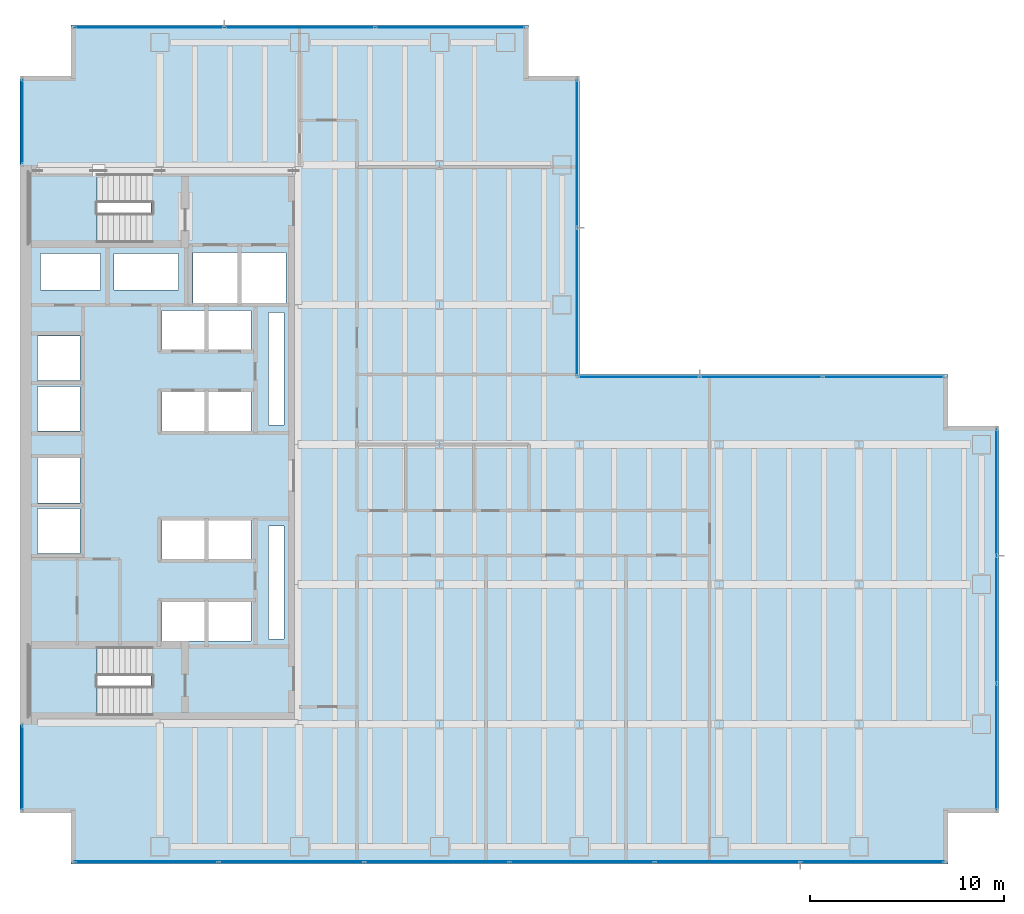
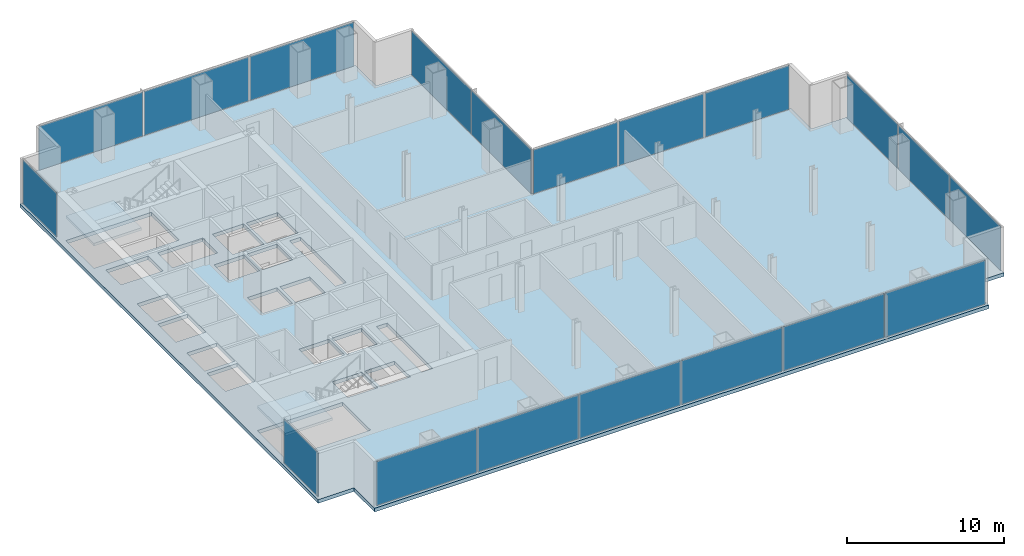
# One storey, part 19 of 25: 19 plates, 3 slabs, 20 openings, 9 elements without a shape of their own.
"""IFC4 building model written with IfcOpenShell, lengths in metres."""

import ifcopenshell
import ifcopenshell.guid

model = None  # the IFC model being written
_history = None  # IfcOwnerHistory: only IFC2X3 demands one
_inside = {}  # id of a spatial element -> (the spatial element, [elements in it])
_under = {}  # id of a project, library or spatial element -> (it, [spatial elements below it])
_declared = {}  # id of a project -> (the project, [libraries it declares])
_typed = {}  # id of a type object -> (the type object, [elements of that type])
_made_of = {}  # id of a material, layer set ... -> (it, [elements and type objects made of it])


def new_model(schema):
    """Start an empty IFC model of exactly this schema.

    Asked for "IFC4X3", IfcOpenShell would pick the latest addendum, in which some entities
    have other attributes; the version numbers below select the first issue.
    IFC2X3 requires an IfcOwnerHistory on every rooted entity: one is made here for all.
    """
    global model, _history
    if schema == "IFC4X3":
        model = ifcopenshell.file(schema_version=(4, 3, 0, 0))
    else:
        model = ifcopenshell.file(schema=schema)
    _inside.clear()
    _under.clear()
    _declared.clear()
    _typed.clear()
    _made_of.clear()
    _history = None
    if model.schema == "IFC2X3":
        org = make("IfcOrganization", Name="unknown")
        user = make(
            "IfcPersonAndOrganization",
            ThePerson=make("IfcPerson", FamilyName="unknown"),
            TheOrganization=org,
        )
        app = make(
            "IfcApplication",
            ApplicationDeveloper=org,
            Version="unknown",
            ApplicationFullName="unknown",
            ApplicationIdentifier="unknown",
        )
        _history = make(
            "IfcOwnerHistory",
            OwningUser=user,
            OwningApplication=app,
            ChangeAction="ADDED",
            CreationDate=0,
        )
    return model


def make(cls, **values):
    """One entity of the class cls with the attributes given. An attribute that is None is left unset."""
    return model.create_entity(
        cls, **{name: value for name, value in values.items() if value is not None}
    )


def rooted(cls, **values):
    """An entity with a GlobalId (a new one), such as an element, a storey or a relation."""
    return make(cls, GlobalId=ifcopenshell.guid.new(), OwnerHistory=_history, **values)


def si_unit(unit_type, name, prefix=None):
    """IfcSIUnit, for example si_unit("LENGTHUNIT", "METRE", prefix="MILLI")."""
    return make("IfcSIUnit", UnitType=unit_type, Prefix=prefix, Name=name)


def assignment(units):
    """IfcUnitAssignment: the units of a project."""
    return None if units is None else make("IfcUnitAssignment", Units=units)


def point(xyz):
    """IfcCartesianPoint."""
    return None if xyz is None else make("IfcCartesianPoint", Coordinates=xyz)


def direction(xyz):
    """IfcDirection."""
    return None if xyz is None else make("IfcDirection", DirectionRatios=xyz)


def frame(location, z_axis=None, x_axis=None):
    """IfcAxis2Placement3D, a coordinate frame: its origin and axes. An axis left out is left unset."""
    return make(
        "IfcAxis2Placement3D",
        Location=point(location),
        Axis=direction(z_axis),
        RefDirection=direction(x_axis),
    )


def frame_2d(location, x_axis=None):
    """IfcAxis2Placement2D, a coordinate frame in the plane: its origin and x axis."""
    return make(
        "IfcAxis2Placement2D", Location=point(location), RefDirection=direction(x_axis)
    )


def origin():
    """The frame at (0, 0, 0) with its axes left unset."""
    return frame((0.0, 0.0, 0.0))


def origin_2d():
    """The frame at (0, 0) in the plane with its x axis left unset."""
    return frame_2d((0.0, 0.0))


def place(relative_to, where):
    """IfcLocalPlacement: puts the frame where relative to a parent placement (None: the world)."""
    return make(
        "IfcLocalPlacement", PlacementRelTo=relative_to, RelativePlacement=where
    )


def context(
    kind, dimensions, precision=None, world=None, true_north=None, identifier=None
):
    """IfcGeometricRepresentationContext, for example the 3D "Model" context."""
    return make(
        "IfcGeometricRepresentationContext",
        ContextIdentifier=identifier,
        ContextType=kind,
        CoordinateSpaceDimension=dimensions,
        Precision=precision,
        WorldCoordinateSystem=world,
        TrueNorth=true_north,
    )


def subcontext(parent, identifier, kind, view, scale=None):
    """IfcGeometricRepresentationSubContext, for example "Body" below "Model"."""
    return make(
        "IfcGeometricRepresentationSubContext",
        ContextIdentifier=identifier,
        ContextType=kind,
        ParentContext=parent,
        TargetScale=scale,
        TargetView=view,
    )


def project(units=None, contexts=None):
    """IfcProject with its units and contexts."""
    return rooted(
        "IfcProject",
        Name="project",
        RepresentationContexts=contexts,
        UnitsInContext=assignment(units),
    )


def spatial(cls, under=None, at=None, **own):
    """A site, building, storey or space (cls), placed at a placement, below another one or the project."""
    s = rooted(cls, ObjectPlacement=at, **own)
    if under is not None:
        _under.setdefault(under.id(), (under, []))[1].append(s)
    return s


def polyline(points):
    """IfcPolyline through the points."""
    return make("IfcPolyline", Points=[point(p) for p in points])


def profile(cls, at=None, kind="AREA", **sizes):
    """A parametric profile (cls). Its sizes go by their IFC names, for example OverallWidth=200.0."""
    return make(cls, ProfileType=kind, Position=at, **sizes)


def rectangle(**sizes):
    """IfcRectangleProfileDef."""
    return profile("IfcRectangleProfileDef", **sizes)


def outline(outer, holes=None, kind="AREA"):
    """IfcArbitraryClosedProfileDef: a profile drawn as a closed curve; with holes, ...WithVoids."""
    if holes is None:
        return make("IfcArbitraryClosedProfileDef", ProfileType=kind, OuterCurve=outer)
    return make(
        "IfcArbitraryProfileDefWithVoids",
        ProfileType=kind,
        OuterCurve=outer,
        InnerCurves=holes,
    )


def extrude(swept, where, along, depth):
    """IfcExtrudedAreaSolid: the profile swept, set in the frame where, extruded along a direction by depth."""
    return make(
        "IfcExtrudedAreaSolid",
        SweptArea=swept,
        Position=where,
        ExtrudedDirection=direction(along),
        Depth=depth,
    )


def shape(context_of_items, identifier, shape_type, items):
    """IfcShapeRepresentation: the items that make up one representation, for example the "Body"."""
    return make(
        "IfcShapeRepresentation",
        ContextOfItems=context_of_items,
        RepresentationIdentifier=identifier,
        RepresentationType=shape_type,
        Items=items,
    )


def material(Name=None, Category=None):
    """IfcMaterial."""
    return make("IfcMaterial", Name=Name, Category=Category)


def layer(
    of_material, thickness, ventilated=None, Name=None, Category=None, Priority=None
):
    """IfcMaterialLayer: one layer of a wall or slab, of a material (None: an air gap)."""
    return make(
        "IfcMaterialLayer",
        Material=of_material,
        LayerThickness=thickness,
        IsVentilated=ventilated,
        Name=Name,
        Category=Category,
        Priority=Priority,
    )


def layer_set(layers, Name=None):
    """IfcMaterialLayerSet."""
    return make("IfcMaterialLayerSet", MaterialLayers=layers, LayerSetName=Name)


def made_of(thing, what):
    """Note that an element or type object is made of a material, layer set ...; save() writes the relation."""
    if what is not None:
        _made_of.setdefault(what.id(), (what, []))[1].append(thing)
    return thing


def type_object(cls, material=None, **own):
    """A type object (cls), such as IfcWallType, which elements share."""
    return made_of(rooted(cls, **own), material)


def element(
    cls,
    number,
    at=None,
    inside=None,
    cuts=None,
    type_object=None,
    material=None,
    context=None,
    identifier="Body",
    shape_type=None,
    held_by="IfcProductDefinitionShape",
    body=None,
    shapes=None,
    **own,
):
    """One element of the class cls, such as IfcWall. Its Tag is "e" and its number.

    at: its placement. inside: the storey or other place that contains it. cuts: it is an
    opening in that element (IfcRelVoidsElement). A single representation is given by context,
    identifier, shape_type and body (its items); several are given by shapes. held_by: the class
    of the entity that holds the representations. save() writes the other relations.
    """
    e = rooted(cls, Tag="e%d" % number, ObjectPlacement=at, **own)
    if body is not None:
        shapes = [shape(context, identifier, shape_type, body)]
    if shapes is not None:
        e.Representation = make(held_by, Representations=shapes)
    if inside is not None:
        _inside.setdefault(inside.id(), (inside, []))[1].append(e)
    if cuts is not None:
        rooted(
            "IfcRelVoidsElement", RelatingBuildingElement=cuts, RelatedOpeningElement=e
        )
    if type_object is not None:
        _typed.setdefault(type_object.id(), (type_object, []))[1].append(e)
    return made_of(e, material)


def aggregate(whole, parts):
    """IfcRelAggregates: a whole, such as a stair, and the parts it consists of."""
    return rooted("IfcRelAggregates", RelatingObject=whole, RelatedObjects=parts)


def save(model, path):
    """Write the relations noted so far, then the file.

    IfcRelAggregates (storeys below a building ...), IfcRelContainedInSpatialStructure (elements
    in a storey), IfcRelDefinesByType, IfcRelAssociatesMaterial and IfcRelDeclares: one each for
    every whole, place, type object, material and project.
    """
    for whole, parts in _under.values():
        aggregate(whole, parts)
    for where, things in _inside.values():
        rooted(
            "IfcRelContainedInSpatialStructure",
            RelatedElements=things,
            RelatingStructure=where,
        )
    for kind, things in _typed.values():
        rooted("IfcRelDefinesByType", RelatedObjects=things, RelatingType=kind)
    for what, things in _made_of.values():
        rooted("IfcRelAssociatesMaterial", RelatedObjects=things, RelatingMaterial=what)
    for by, libraries in _declared.values():
        rooted("IfcRelDeclares", RelatingContext=by, RelatedDefinitions=libraries)
    model.write(path)


model = new_model("IFC4")

# Units and contexts
model_context = context("Model", 3, precision=1e-05, world=origin(), true_north=direction((0.0, 1.0)))
body_context = subcontext(model_context, "Body", "Model", "MODEL_VIEW")
ifc_project = project(units=[si_unit("LENGTHUNIT", "METRE"), si_unit("AREAUNIT", "SQUARE_METRE"), si_unit("VOLUMEUNIT", "CUBIC_METRE"), si_unit("PLANEANGLEUNIT", "RADIAN"), si_unit("MASSUNIT", "GRAM", prefix="KILO")], contexts=[model_context])

# Site, building, storey
site_placement = place(None, origin())
site = spatial("IfcSite", under=ifc_project, at=site_placement, CompositionType="ELEMENT")
building_placement = place(site_placement, origin())
building = spatial("IfcBuilding", under=site, at=building_placement, Name="Cobrela Telecom Tower", CompositionType="ELEMENT")
storey_placement = place(building_placement, frame((0.0, 0.0, 46.550048828125)))
storey = spatial("IfcBuildingStorey", under=building, at=storey_placement, Name="L11", CompositionType="ELEMENT", Elevation=46.550048828125)

# Curtain wall, plate
ifc_material_1 = material(Name="Anodized Bronze Aluminium 6063-T6", Category="aluminium")
curtain_wall_type = type_object("IfcCurtainWallType", Name="CW-SYS-DATA", PredefinedType="USERDEFINED", material=ifc_material_1)
curtain_wall_1_placement = place(storey_placement, origin())
curtain_wall_1 = element("IfcCurtainWall", 1, at=curtain_wall_1_placement, inside=storey, type_object=curtain_wall_type, Name="L11 Unitised Bronze Curtain Wall 03", ObjectType="UNITISED CURTAIN WALL", PredefinedType="USERDEFINED")
ifc_material_2 = material(Name="Solar-Control Bronze Low-E Glass", Category="glass")
ifc_layer_1 = layer(ifc_material_2, 0.0380859375)
ifc_layer_set_1 = layer_set([ifc_layer_1], Name="Solar-Control Bronze Low-E Glass")
plate_type = type_object("IfcPlateType", Name="CW-SYS-DATA-PNL", PredefinedType="CURTAIN_PANEL", material=ifc_layer_set_1)
plate_1_placement = place(storey_placement, frame((0.1201171875, 4.97509765625, 0.074951171875), z_axis=(0.0, 0.0, 1.0), x_axis=(0.0, 1.0, 0.0)))
plate_1 = element("IfcPlate", 2, at=plate_1_placement, type_object=plate_type, Name="CW-DATA panel 1.1", PredefinedType="CURTAIN_PANEL", context=body_context, shape_type="SweptSolid", body=[
    extrude(rectangle(XDim=4.2900390625, YDim=0.0380859375, at=origin_2d()), origin(), (0.0, 0.0, 1.0), 3.419921875),
])
aggregate(curtain_wall_1, [plate_1])

curtain_wall_2_placement = place(storey_placement, origin())
curtain_wall_2 = element("IfcCurtainWall", 3, at=curtain_wall_2_placement, inside=storey, type_object=curtain_wall_type, Name="L11 Unitised Bronze Curtain Wall 04", ObjectType="UNITISED CURTAIN WALL", PredefinedType="USERDEFINED")
plate_2_placement = place(storey_placement, frame((0.1201171875, 38.22509765625, 0.074951171875), z_axis=(0.0, 0.0, 1.0), x_axis=(0.0, 1.0, 0.0)))
plate_2 = element("IfcPlate", 4, at=plate_2_placement, type_object=plate_type, Name="CW-DATA panel 1.1", PredefinedType="CURTAIN_PANEL", context=body_context, shape_type="SweptSolid", body=[
    extrude(rectangle(XDim=4.2900390625, YDim=0.0380859375, at=origin_2d()), origin(), (0.0, 0.0, 1.0), 3.419921875),
])
aggregate(curtain_wall_2, [plate_2])

# Curtain wall, plates
curtain_wall_3_placement = place(storey_placement, origin())
curtain_wall_3 = element("IfcCurtainWall", 5, at=curtain_wall_3_placement, inside=storey, type_object=curtain_wall_type, Name="L11 Unitised Bronze Curtain Wall 07", ObjectType="UNITISED CURTAIN WALL", PredefinedType="USERDEFINED")
plate_3_placement = place(storey_placement, frame((6.6533203125, 43.080078125, 0.074951171875), z_axis=(0.0, 0.0, 1.0), x_axis=(1.0, 0.0, 0.0)))
plate_3 = element("IfcPlate", 6, at=plate_3_placement, type_object=plate_type, Name="CW-DATA panel 1.1", PredefinedType="CURTAIN_PANEL", context=body_context, shape_type="SweptSolid", body=[
    extrude(rectangle(XDim=7.646728515625, YDim=0.0380859375, at=origin_2d()), origin(), (0.0, 0.0, 1.0), 3.419921875),
])
plate_4_placement = place(storey_placement, frame((14.39990234375, 43.080078125, 0.074951171875), z_axis=(0.0, 0.0, 1.0), x_axis=(1.0, 0.0, 0.0)))
plate_4 = element("IfcPlate", 7, at=plate_4_placement, type_object=plate_type, Name="CW-DATA panel 2.1", PredefinedType="CURTAIN_PANEL", context=body_context, shape_type="SweptSolid", body=[
    extrude(rectangle(XDim=7.686767578125, YDim=0.0380859375, at=origin_2d()), origin(), (0.0, 0.0, 1.0), 3.419921875),
])
plate_5_placement = place(storey_placement, frame((22.146728515625, 43.080078125, 0.074951171875), z_axis=(0.0, 0.0, 1.0), x_axis=(1.0, 0.0, 0.0)))
plate_5 = element("IfcPlate", 8, at=plate_5_placement, type_object=plate_type, Name="CW-DATA panel 3.1", PredefinedType="CURTAIN_PANEL", context=body_context, shape_type="SweptSolid", body=[
    extrude(rectangle(XDim=7.646728515625, YDim=0.0380859375, at=origin_2d()), origin(), (0.0, 0.0, 1.0), 3.419921875),
])
aggregate(curtain_wall_3, [plate_3, plate_4, plate_5])

curtain_wall_4_placement = place(storey_placement, origin())
curtain_wall_4 = element("IfcCurtainWall", 9, at=curtain_wall_4_placement, inside=storey, type_object=curtain_wall_type, Name="L11 Unitised Bronze Curtain Wall 10", ObjectType="UNITISED CURTAIN WALL", PredefinedType="USERDEFINED")
plate_6_placement = place(storey_placement, frame((28.679931640625, 36.58740234375, 0.074951171875), z_axis=(0.0, 0.0, 1.0), x_axis=(0.0, -1.0, 0.0)))
plate_6 = element("IfcPlate", 10, at=plate_6_placement, type_object=plate_type, Name="CW-DATA panel 1.1", PredefinedType="CURTAIN_PANEL", context=body_context, shape_type="SweptSolid", body=[
    extrude(rectangle(XDim=7.56494140625, YDim=0.0380859375, at=origin_2d()), origin(), (0.0, 0.0, 1.0), 3.419921875),
])
plate_7_placement = place(storey_placement, frame((28.679931640625, 28.9423828125, 0.074951171875), z_axis=(0.0, 0.0, 1.0), x_axis=(0.0, -1.0, 0.0)))
plate_7 = element("IfcPlate", 11, at=plate_7_placement, type_object=plate_type, Name="CW-DATA panel 2.1", PredefinedType="CURTAIN_PANEL", context=body_context, shape_type="SweptSolid", body=[
    extrude(rectangle(XDim=7.56494140625, YDim=0.0380859375, at=origin_2d()), origin(), (0.0, 0.0, 1.0), 3.419921875),
])
aggregate(curtain_wall_4, [plate_6, plate_7])

curtain_wall_5_placement = place(storey_placement, origin())
curtain_wall_5 = element("IfcCurtainWall", 12, at=curtain_wall_5_placement, inside=storey, type_object=curtain_wall_type, Name="L11 Unitised Bronze Curtain Wall 11", ObjectType="UNITISED CURTAIN WALL", PredefinedType="USERDEFINED")
plate_8_placement = place(storey_placement, frame((31.861572265625, 25.080078125, 0.074951171875), z_axis=(0.0, 0.0, 1.0), x_axis=(1.0, 0.0, 0.0)))
plate_8 = element("IfcPlate", 13, at=plate_8_placement, type_object=plate_type, Name="CW-DATA panel 1.1", PredefinedType="CURTAIN_PANEL", context=body_context, shape_type="SweptSolid", body=[
    extrude(rectangle(XDim=6.203369140625, YDim=0.0380859375, at=origin_2d()), origin(), (0.0, 0.0, 1.0), 3.419921875),
])
plate_9_placement = place(storey_placement, frame((38.1650390625, 25.080078125, 0.074951171875), z_axis=(0.0, 0.0, 1.0), x_axis=(1.0, 0.0, 0.0)))
plate_9 = element("IfcPlate", 14, at=plate_9_placement, type_object=plate_type, Name="CW-DATA panel 2.1", PredefinedType="CURTAIN_PANEL", context=body_context, shape_type="SweptSolid", body=[
    extrude(rectangle(XDim=6.243408203125, YDim=0.0380859375, at=origin_2d()), origin(), (0.0, 0.0, 1.0), 3.419921875),
])
plate_10_placement = place(storey_placement, frame((44.46826171875, 25.080078125, 0.074951171875), z_axis=(0.0, 0.0, 1.0), x_axis=(1.0, 0.0, 0.0)))
plate_10 = element("IfcPlate", 15, at=plate_10_placement, type_object=plate_type, Name="CW-DATA panel 3.1", PredefinedType="CURTAIN_PANEL", context=body_context, shape_type="SweptSolid", body=[
    extrude(rectangle(XDim=6.203369140625, YDim=0.0380859375, at=origin_2d()), origin(), (0.0, 0.0, 1.0), 3.419921875),
])
aggregate(curtain_wall_5, [plate_8, plate_9, plate_10])

curtain_wall_6_placement = place(storey_placement, origin())
curtain_wall_6 = element("IfcCurtainWall", 16, at=curtain_wall_6_placement, inside=storey, type_object=curtain_wall_type, Name="L11 Unitised Bronze Curtain Wall 14", ObjectType="UNITISED CURTAIN WALL", PredefinedType="USERDEFINED")
plate_11_placement = place(storey_placement, frame((50.280029296875, 19.146728515625, 0.074951171875), z_axis=(0.0, 0.0, 1.0), x_axis=(0.0, -1.0, 0.0)))
plate_11 = element("IfcPlate", 17, at=plate_11_placement, type_object=plate_type, Name="CW-DATA panel 1.1", PredefinedType="CURTAIN_PANEL", context=body_context, shape_type="SweptSolid", body=[
    extrude(rectangle(XDim=6.44677734375, YDim=0.0380859375, at=origin_2d()), origin(), (0.0, 0.0, 1.0), 3.419921875),
])
plate_12_placement = place(storey_placement, frame((50.280029296875, 12.60009765625, 0.074951171875), z_axis=(0.0, 0.0, 1.0), x_axis=(0.0, -1.0, 0.0)))
plate_12 = element("IfcPlate", 18, at=plate_12_placement, type_object=plate_type, Name="CW-DATA panel 2.1", PredefinedType="CURTAIN_PANEL", context=body_context, shape_type="SweptSolid", body=[
    extrude(rectangle(XDim=6.486572265625, YDim=0.0380859375, at=origin_2d()), origin(), (0.0, 0.0, 1.0), 3.419921875),
])
plate_13_placement = place(storey_placement, frame((50.280029296875, 6.05322265625, 0.074951171875), z_axis=(0.0, 0.0, 1.0), x_axis=(0.0, -1.0, 0.0)))
plate_13 = element("IfcPlate", 19, at=plate_13_placement, type_object=plate_type, Name="CW-DATA panel 3.1", PredefinedType="CURTAIN_PANEL", context=body_context, shape_type="SweptSolid", body=[
    extrude(rectangle(XDim=6.44677734375, YDim=0.0380859375, at=origin_2d()), origin(), (0.0, 0.0, 1.0), 3.419921875),
])
aggregate(curtain_wall_6, [plate_11, plate_12, plate_13])

curtain_wall_7_placement = place(storey_placement, origin())
curtain_wall_7 = element("IfcCurtainWall", 20, at=curtain_wall_7_placement, inside=storey, type_object=curtain_wall_type, Name="L11 Unitised Bronze Curtain Wall 17", ObjectType="UNITISED CURTAIN WALL", PredefinedType="USERDEFINED")
plate_14_placement = place(storey_placement, frame((43.888427734375, 0.1201171875, 0.074951171875), z_axis=(0.0, 0.0, 1.0), x_axis=(-1.0, 0.0, 0.0)))
plate_14 = element("IfcPlate", 21, at=plate_14_placement, type_object=plate_type, Name="CW-DATA panel 1.1", PredefinedType="CURTAIN_PANEL", context=body_context, shape_type="SweptSolid", body=[
    extrude(rectangle(XDim=7.36328125, YDim=0.0380859375, at=origin_2d()), origin(), (0.0, 0.0, 1.0), 3.419921875),
])
plate_15_placement = place(storey_placement, frame((36.425048828125, 0.1201171875, 0.074951171875), z_axis=(0.0, 0.0, 1.0), x_axis=(-1.0, 0.0, 0.0)))
plate_15 = element("IfcPlate", 22, at=plate_15_placement, type_object=plate_type, Name="CW-DATA panel 2.1", PredefinedType="CURTAIN_PANEL", context=body_context, shape_type="SweptSolid", body=[
    extrude(rectangle(XDim=7.4033203125, YDim=0.0380859375, at=origin_2d()), origin(), (0.0, 0.0, 1.0), 3.419921875),
])
plate_16_placement = place(storey_placement, frame((28.941650390625, 0.1201171875, 0.074951171875), z_axis=(0.0, 0.0, 1.0), x_axis=(-1.0, 0.0, 0.0)))
plate_16 = element("IfcPlate", 23, at=plate_16_placement, type_object=plate_type, Name="CW-DATA panel 3.1", PredefinedType="CURTAIN_PANEL", context=body_context, shape_type="SweptSolid", body=[
    extrude(rectangle(XDim=7.4033203125, YDim=0.0380859375, at=origin_2d()), origin(), (0.0, 0.0, 1.0), 3.419921875),
])
plate_17_placement = place(storey_placement, frame((21.458251953125, 0.1201171875, 0.074951171875), z_axis=(0.0, 0.0, 1.0), x_axis=(-1.0, 0.0, 0.0)))
plate_17 = element("IfcPlate", 24, at=plate_17_placement, type_object=plate_type, Name="CW-DATA panel 4.1", PredefinedType="CURTAIN_PANEL", context=body_context, shape_type="SweptSolid", body=[
    extrude(rectangle(XDim=7.4033203125, YDim=0.0380859375, at=origin_2d()), origin(), (0.0, 0.0, 1.0), 3.419921875),
])
plate_18_placement = place(storey_placement, frame((13.97509765625, 0.1201171875, 0.074951171875), z_axis=(0.0, 0.0, 1.0), x_axis=(-1.0, 0.0, 0.0)))
plate_18 = element("IfcPlate", 25, at=plate_18_placement, type_object=plate_type, Name="CW-DATA panel 5.1", PredefinedType="CURTAIN_PANEL", context=body_context, shape_type="SweptSolid", body=[
    extrude(rectangle(XDim=7.4033203125, YDim=0.0380859375, at=origin_2d()), origin(), (0.0, 0.0, 1.0), 3.419921875),
])
plate_19_placement = place(storey_placement, frame((6.51171875, 0.1201171875, 0.074951171875), z_axis=(0.0, 0.0, 1.0), x_axis=(-1.0, 0.0, 0.0)))
plate_19 = element("IfcPlate", 26, at=plate_19_placement, type_object=plate_type, Name="CW-DATA panel 6.1", PredefinedType="CURTAIN_PANEL", context=body_context, shape_type="SweptSolid", body=[
    extrude(rectangle(XDim=7.36328125, YDim=0.0380859375, at=origin_2d()), origin(), (0.0, 0.0, 1.0), 3.419921875),
])
aggregate(curtain_wall_7, [plate_14, plate_15, plate_16, plate_17, plate_18, plate_19])

# Slab, openings
ifc_material_3 = material(Name="Concrete C40/50", Category="concrete")
ifc_layer_2 = layer(ifc_material_3, 0.280029296875)
ifc_layer_set_2 = layer_set([ifc_layer_2], Name="Concrete C40/50")
slab_type_1 = type_object("IfcSlabType", Name="SLAB-FLR-280", PredefinedType="FLOOR", material=ifc_layer_set_2)
slab_1_placement = place(storey_placement, frame((0.0, 0.0, -0.280029296875)))
slab_1 = element("IfcSlab", 27, at=slab_1_placement, inside=storey, type_object=slab_type_1, Name="L11 Structural Floor Slab", PredefinedType="FLOOR", context=body_context, shape_type="SweptSolid", body=[
    extrude(outline(polyline([(2.6298828125, 0.0), (47.77001953125, 0.0), (47.77001953125, 2.6298828125), (50.39990234375, 2.6298828125), (50.39990234375, 22.570068359375), (47.77001953125, 22.570068359375), (47.77001953125, 25.199951171875), (28.800048828125, 25.199951171875), (28.800048828125, 40.570068359375), (26.169921875, 40.570068359375), (26.169921875, 43.199951171875), (2.6298828125, 43.199951171875), (2.6298828125, 40.570068359375), (0.0, 40.570068359375), (0.0, 2.6298828125), (2.6298828125, 2.6298828125), (2.6298828125, 0.0)])), origin(), (0.0, 0.0, 1.0), 0.280029296875),
])
opening_1_placement = place(slab_1_placement, frame((0.0, 0.0, -0.02001953125)))
element("IfcOpeningElement", 28, at=opening_1_placement, cuts=slab_1, Name="Slab Shaft Opening SLAB-L11-MAIN.1", PredefinedType="OPENING", context=body_context, shape_type="SweptSolid", body=[
    extrude(outline(polyline([(8.89990234375, 28.89990234375), (11.199951171875, 28.89990234375), (11.199951171875, 31.5), (8.89990234375, 31.5), (8.89990234375, 28.89990234375)])), origin(), (0.0, 0.0, 1.0), 0.320068359375),
])
opening_2_placement = place(slab_1_placement, frame((0.0, 0.0, -0.02001953125)))
element("IfcOpeningElement", 29, at=opening_2_placement, cuts=slab_1, Name="Slab Shaft Opening SLAB-L11-MAIN.2", PredefinedType="OPENING", context=body_context, shape_type="SweptSolid", body=[
    extrude(outline(polyline([(11.39990234375, 28.89990234375), (13.699951171875, 28.89990234375), (13.699951171875, 31.5), (11.39990234375, 31.5), (11.39990234375, 28.89990234375)])), origin(), (0.0, 0.0, 1.0), 0.320068359375),
])
opening_3_placement = place(slab_1_placement, frame((0.0, 0.0, -0.02001953125)))
element("IfcOpeningElement", 30, at=opening_3_placement, cuts=slab_1, Name="Slab Shaft Opening SLAB-L11-MAIN.3", PredefinedType="OPENING", context=body_context, shape_type="SweptSolid", body=[
    extrude(outline(polyline([(7.300048828125, 22.300048828125), (9.5, 22.300048828125), (9.5, 24.300048828125), (7.300048828125, 24.300048828125), (7.300048828125, 22.300048828125)])), origin(), (0.0, 0.0, 1.0), 0.320068359375),
])
opening_4_placement = place(slab_1_placement, frame((0.0, 0.0, -0.02001953125)))
element("IfcOpeningElement", 31, at=opening_4_placement, cuts=slab_1, Name="Slab Shaft Opening SLAB-L11-MAIN.4", PredefinedType="OPENING", context=body_context, shape_type="SweptSolid", body=[
    extrude(outline(polyline([(9.699951171875, 22.300048828125), (11.89990234375, 22.300048828125), (11.89990234375, 24.300048828125), (9.699951171875, 24.300048828125), (9.699951171875, 22.300048828125)])), origin(), (0.0, 0.0, 1.0), 0.320068359375),
])
opening_5_placement = place(slab_1_placement, frame((0.0, 0.0, -0.02001953125)))
element("IfcOpeningElement", 32, at=opening_5_placement, cuts=slab_1, Name="Slab Shaft Opening SLAB-L11-MAIN.5", PredefinedType="OPENING", context=body_context, shape_type="SweptSolid", body=[
    extrude(outline(polyline([(7.300048828125, 26.5), (9.5, 26.5), (9.5, 28.5), (7.300048828125, 28.5), (7.300048828125, 26.5)])), origin(), (0.0, 0.0, 1.0), 0.320068359375),
])
opening_6_placement = place(slab_1_placement, frame((0.0, 0.0, -0.02001953125)))
element("IfcOpeningElement", 33, at=opening_6_placement, cuts=slab_1, Name="Slab Shaft Opening SLAB-L11-MAIN.6", PredefinedType="OPENING", context=body_context, shape_type="SweptSolid", body=[
    extrude(outline(polyline([(9.699951171875, 26.5), (11.89990234375, 26.5), (11.89990234375, 28.5), (9.699951171875, 28.5), (9.699951171875, 26.5)])), origin(), (0.0, 0.0, 1.0), 0.320068359375),
])
opening_7_placement = place(slab_1_placement, frame((0.0, 0.0, -0.02001953125)))
element("IfcOpeningElement", 34, at=opening_7_placement, cuts=slab_1, Name="Slab Shaft Opening SLAB-L11-MAIN.7", PredefinedType="OPENING", context=body_context, shape_type="SweptSolid", body=[
    extrude(outline(polyline([(7.300048828125, 15.699951171875), (9.5, 15.699951171875), (9.5, 17.699951171875), (7.300048828125, 17.699951171875), (7.300048828125, 15.699951171875)])), origin(), (0.0, 0.0, 1.0), 0.320068359375),
])
opening_8_placement = place(slab_1_placement, frame((0.0, 0.0, -0.02001953125)))
element("IfcOpeningElement", 35, at=opening_8_placement, cuts=slab_1, Name="Slab Shaft Opening SLAB-L11-MAIN.8", PredefinedType="OPENING", context=body_context, shape_type="SweptSolid", body=[
    extrude(outline(polyline([(9.699951171875, 15.699951171875), (11.89990234375, 15.699951171875), (11.89990234375, 17.699951171875), (9.699951171875, 17.699951171875), (9.699951171875, 15.699951171875)])), origin(), (0.0, 0.0, 1.0), 0.320068359375),
])
opening_9_placement = place(slab_1_placement, frame((0.0, 0.0, -0.02001953125)))
element("IfcOpeningElement", 36, at=opening_9_placement, cuts=slab_1, Name="Slab Shaft Opening SLAB-L11-MAIN.9", PredefinedType="OPENING", context=body_context, shape_type="SweptSolid", body=[
    extrude(outline(polyline([(7.300048828125, 11.5), (9.5, 11.5), (9.5, 13.5), (7.300048828125, 13.5), (7.300048828125, 11.5)])), origin(), (0.0, 0.0, 1.0), 0.320068359375),
])
opening_10_placement = place(slab_1_placement, frame((0.0, 0.0, -0.02001953125)))
element("IfcOpeningElement", 37, at=opening_10_placement, cuts=slab_1, Name="Slab Shaft Opening SLAB-L11-MAIN.10", PredefinedType="OPENING", context=body_context, shape_type="SweptSolid", body=[
    extrude(outline(polyline([(9.699951171875, 11.5), (11.89990234375, 11.5), (11.89990234375, 13.5), (9.699951171875, 13.5), (9.699951171875, 11.5)])), origin(), (0.0, 0.0, 1.0), 0.320068359375),
])
opening_11_placement = place(slab_1_placement, frame((0.0, 0.0, -0.02001953125)))
element("IfcOpeningElement", 38, at=opening_11_placement, cuts=slab_1, Name="Slab Shaft Opening SLAB-L11-MAIN.11", PredefinedType="OPENING", context=body_context, shape_type="SweptSolid", body=[
    extrude(outline(polyline([(0.89990234375, 16.0), (3.10009765625, 16.0), (3.10009765625, 18.300048828125), (0.89990234375, 18.300048828125), (0.89990234375, 16.0)])), origin(), (0.0, 0.0, 1.0), 0.320068359375),
])
opening_12_placement = place(slab_1_placement, frame((0.0, 0.0, -0.02001953125)))
element("IfcOpeningElement", 39, at=opening_12_placement, cuts=slab_1, Name="Slab Shaft Opening SLAB-L11-MAIN.12", PredefinedType="OPENING", context=body_context, shape_type="SweptSolid", body=[
    extrude(outline(polyline([(0.89990234375, 18.60009765625), (3.10009765625, 18.60009765625), (3.10009765625, 20.89990234375), (0.89990234375, 20.89990234375), (0.89990234375, 18.60009765625)])), origin(), (0.0, 0.0, 1.0), 0.320068359375),
])
opening_13_placement = place(slab_1_placement, frame((0.0, 0.0, -0.02001953125)))
element("IfcOpeningElement", 40, at=opening_13_placement, cuts=slab_1, Name="Slab Shaft Opening SLAB-L11-MAIN.13", PredefinedType="OPENING", context=body_context, shape_type="SweptSolid", body=[
    extrude(outline(polyline([(0.89990234375, 22.300048828125), (3.10009765625, 22.300048828125), (3.10009765625, 24.60009765625), (0.89990234375, 24.60009765625), (0.89990234375, 22.300048828125)])), origin(), (0.0, 0.0, 1.0), 0.320068359375),
])
opening_14_placement = place(slab_1_placement, frame((0.0, 0.0, -0.02001953125)))
element("IfcOpeningElement", 41, at=opening_14_placement, cuts=slab_1, Name="Slab Shaft Opening SLAB-L11-MAIN.14", PredefinedType="OPENING", context=body_context, shape_type="SweptSolid", body=[
    extrude(outline(polyline([(0.89990234375, 24.89990234375), (3.10009765625, 24.89990234375), (3.10009765625, 27.199951171875), (0.89990234375, 27.199951171875), (0.89990234375, 24.89990234375)])), origin(), (0.0, 0.0, 1.0), 0.320068359375),
])
opening_15_placement = place(slab_1_placement, frame((0.0, 0.0, -0.02001953125)))
element("IfcOpeningElement", 42, at=opening_15_placement, cuts=slab_1, Name="Slab Shaft Opening SLAB-L11-MAIN.15", PredefinedType="OPENING", context=body_context, shape_type="SweptSolid", body=[
    extrude(outline(polyline([(1.050048828125, 29.550048828125), (4.14990234375, 29.550048828125), (4.14990234375, 31.449951171875), (1.050048828125, 31.449951171875), (1.050048828125, 29.550048828125)])), origin(), (0.0, 0.0, 1.0), 0.320068359375),
])
opening_16_placement = place(slab_1_placement, frame((0.0, 0.0, -0.02001953125)))
element("IfcOpeningElement", 43, at=opening_16_placement, cuts=slab_1, Name="Slab Shaft Opening SLAB-L11-MAIN.16", PredefinedType="OPENING", context=body_context, shape_type="SweptSolid", body=[
    extrude(outline(polyline([(4.85009765625, 29.550048828125), (8.14990234375, 29.550048828125), (8.14990234375, 31.449951171875), (4.85009765625, 31.449951171875), (4.85009765625, 29.550048828125)])), origin(), (0.0, 0.0, 1.0), 0.320068359375),
])
opening_17_placement = place(slab_1_placement, frame((0.0, 0.0, -0.02001953125)))
element("IfcOpeningElement", 44, at=opening_17_placement, cuts=slab_1, Name="Slab Shaft Opening SLAB-L11-MAIN.17", PredefinedType="OPENING", context=body_context, shape_type="SweptSolid", body=[
    extrude(outline(polyline([(12.800048828125, 22.60009765625), (13.60009765625, 22.60009765625), (13.60009765625, 28.39990234375), (12.800048828125, 28.39990234375), (12.800048828125, 22.60009765625)])), origin(), (0.0, 0.0, 1.0), 0.320068359375),
])
opening_18_placement = place(slab_1_placement, frame((0.0, 0.0, -0.02001953125)))
element("IfcOpeningElement", 45, at=opening_18_placement, cuts=slab_1, Name="Slab Shaft Opening SLAB-L11-MAIN.18", PredefinedType="OPENING", context=body_context, shape_type="SweptSolid", body=[
    extrude(outline(polyline([(12.800048828125, 11.60009765625), (13.60009765625, 11.60009765625), (13.60009765625, 17.39990234375), (12.800048828125, 17.39990234375), (12.800048828125, 11.60009765625)])), origin(), (0.0, 0.0, 1.0), 0.320068359375),
])
opening_19_placement = place(slab_1_placement, frame((0.0, 0.0, -0.02001953125)))
element("IfcOpeningElement", 46, at=opening_19_placement, cuts=slab_1, Name="Slab Shaft Opening SLAB-L11-MAIN.19", PredefinedType="OPENING", context=body_context, shape_type="SweptSolid", body=[
    extrude(outline(polyline([(6.7548828125, 35.550048828125), (0.47998046875, 35.550048828125), (0.47998046875, 32.0), (6.7548828125, 32.0), (6.7548828125, 35.550048828125)])), origin(), (0.0, 0.0, 1.0), 0.320068359375),
])
opening_20_placement = place(slab_1_placement, frame((0.0, 0.0, -0.02001953125)))
element("IfcOpeningElement", 47, at=opening_20_placement, cuts=slab_1, Name="Slab Shaft Opening SLAB-L11-MAIN.20", PredefinedType="OPENING", context=body_context, shape_type="SweptSolid", body=[
    extrude(outline(polyline([(6.7548828125, 11.199951171875), (0.47998046875, 11.199951171875), (0.47998046875, 7.64990234375), (6.7548828125, 7.64990234375), (6.7548828125, 11.199951171875)])), origin(), (0.0, 0.0, 1.0), 0.320068359375),
])

# Stair, slab
stair_type = type_object("IfcStairType", Name="STAIR-CORE", PredefinedType="HALF_TURN_STAIR", material=ifc_material_3)
stair_1_placement = place(storey_placement, origin())
stair_1 = element("IfcStair", 48, at=stair_1_placement, inside=storey, type_object=stair_type, Name="L11 Smokeproof Exit Stair ST1", PredefinedType="HALF_TURN_STAIR")
ifc_layer_3 = layer(ifc_material_3, 0.199951171875)
ifc_layer_set_3 = layer_set([ifc_layer_3], Name="Concrete C40/50")
slab_type_2 = type_object("IfcSlabType", Name="SLAB-LAND-200", PredefinedType="LANDING", material=ifc_layer_set_3)
slab_2_placement = place(storey_placement, frame((0.0, 0.0, 1.724853515625)))
slab_2 = element("IfcSlab", 49, at=slab_2_placement, type_object=slab_type_2, Name="ST1 landing 1", PredefinedType="LANDING", context=body_context, shape_type="SweptSolid", body=[
    extrude(outline(polyline([(3.969970703125, 35.550048828125), (0.47998046875, 35.550048828125), (0.47998046875, 32.0), (3.969970703125, 32.0), (3.969970703125, 35.550048828125)])), origin(), (0.0, 0.0, 1.0), 0.2001953125),
])
aggregate(stair_1, [slab_2])

stair_2_placement = place(storey_placement, origin())
stair_2 = element("IfcStair", 50, at=stair_2_placement, inside=storey, type_object=stair_type, Name="L11 Smokeproof Exit Stair ST2", PredefinedType="HALF_TURN_STAIR")
slab_3_placement = place(storey_placement, frame((0.0, 0.0, 1.724853515625)))
slab_3 = element("IfcSlab", 51, at=slab_3_placement, type_object=slab_type_2, Name="ST2 landing 1", PredefinedType="LANDING", context=body_context, shape_type="SweptSolid", body=[
    extrude(outline(polyline([(3.969970703125, 11.199951171875), (0.47998046875, 11.199951171875), (0.47998046875, 7.64990234375), (3.969970703125, 7.64990234375), (3.969970703125, 11.199951171875)])), origin(), (0.0, 0.0, 1.0), 0.2001953125),
])
aggregate(stair_2, [slab_3])

save(model, "model.ifc")
